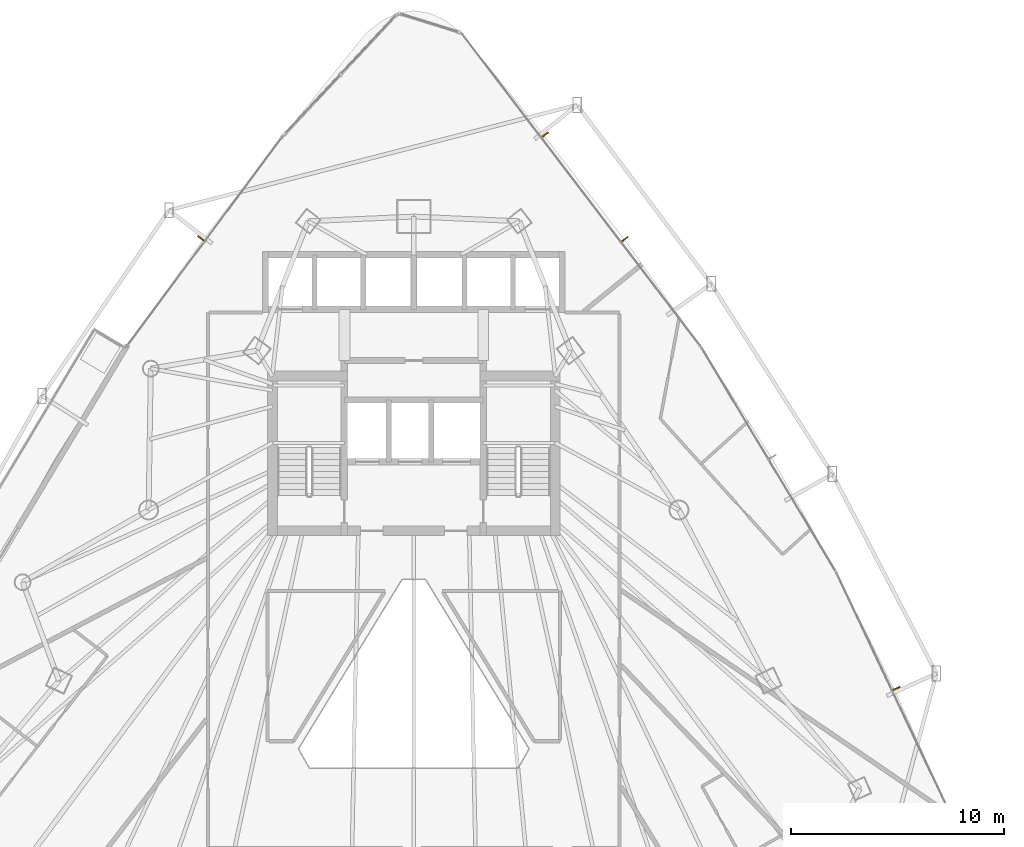
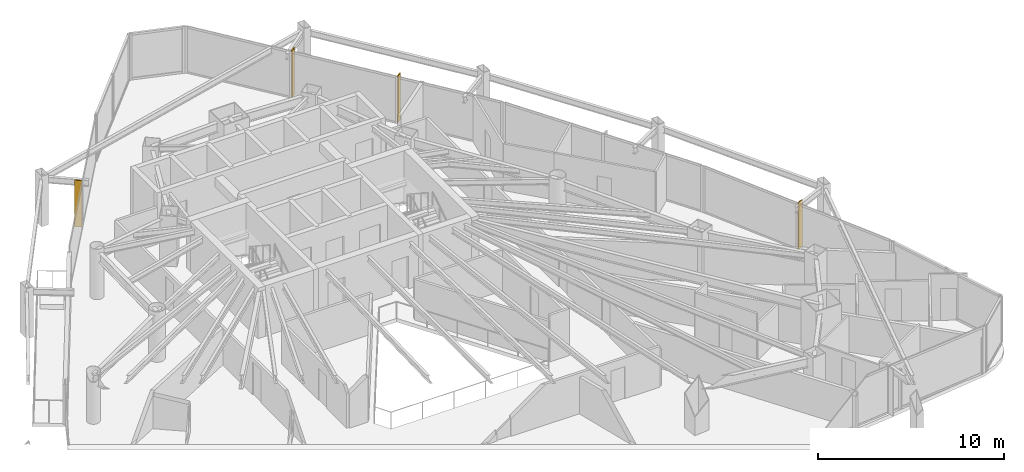
# One storey, part 34 of 34: 4 shading devices.
"""IFC4 building model written with IfcOpenShell, lengths in metres."""

from ifc_helpers import new_model, si_unit, direction, frame, origin, origin_2d, place, context, subcontext, project, spatial, rectangle, extrude, material, layer, layer_set, type_object, element, save


model = new_model("IFC4")

# Units and contexts
model_context = context("Model", 3, precision=1e-05, world=origin(), true_north=direction((0.0, 1.0)))
body_context = subcontext(model_context, "Body", "Model", "MODEL_VIEW")
ifc_project = project(units=[si_unit("LENGTHUNIT", "METRE"), si_unit("AREAUNIT", "SQUARE_METRE"), si_unit("VOLUMEUNIT", "CUBIC_METRE"), si_unit("PLANEANGLEUNIT", "RADIAN"), si_unit("MASSUNIT", "GRAM", prefix="KILO")], contexts=[model_context])

# Site, building, storey
site_placement = place(None, origin())
site = spatial("IfcSite", under=ifc_project, at=site_placement, CompositionType="ELEMENT")
building_placement = place(site_placement, origin())
building = spatial("IfcBuilding", under=site, at=building_placement, Name="Orvanel Arch Residences", CompositionType="ELEMENT")
storey_placement = place(building_placement, frame((0.0, 0.0, 77.449951171875)))
storey = spatial("IfcBuildingStorey", under=building, at=storey_placement, Name="L21", CompositionType="ELEMENT", Elevation=77.449951171875)

# Shading devices
ifc_material = material(Name="Bronze-anodised aluminium AA6063-T6", Category="aluminium")
ifc_layer = layer(ifc_material, 0.06005859375)
ifc_layer_set = layer_set([ifc_layer], Name="Bronze-anodised aluminium AA6063-T6")
shading_device_type = type_object("IfcShadingDeviceType", Name="FIN-BRZ-380", PredefinedType="USERDEFINED", material=ifc_layer_set)
for number, where, z_axis, x_axis, name in (
    (1, (23.030029296875, 40.367919921875, 0.0), (0.0, 0.0, 1.0), (-0.802817475191, 0.596224874966, 0.0), "L21 Anodised Bronze Mullion FIN 01"),
    (2, (55.625, 19.27197265625, 0.0), (0.0, 0.0, 1.0), (0.904082549661, 0.427357863387, 0.0), "L21 Anodised Bronze Mullion FIN 01"),
    (3, (42.89306640625, 40.3330078125, 0.0), (0.0, 0.0, 1.0), (0.794414620535, 0.607375839723, 0.0), "L21 Anodised Bronze Mullion FIN 01"),
    (4, (39.15087890625, 45.23193359375, 0.0), (0.0, 0.0, 1.0), (0.794414620535, 0.607375839723, 0.0), "L21 Anodised Bronze Mullion FIN 02"),
):
    element("IfcShadingDevice", number, at=place(storey_placement, frame(where, z_axis=z_axis, x_axis=x_axis)), inside=storey, type_object=shading_device_type, Name=name, ObjectType="FIN", PredefinedType="USERDEFINED", context=body_context, shape_type="SweptSolid", body=[
        extrude(rectangle(XDim=0.3798828125, YDim=0.06005859375, at=origin_2d()), origin(), (0.0, 0.0, 1.0), 3.06005859375),
    ])

save(model, "model.ifc")
